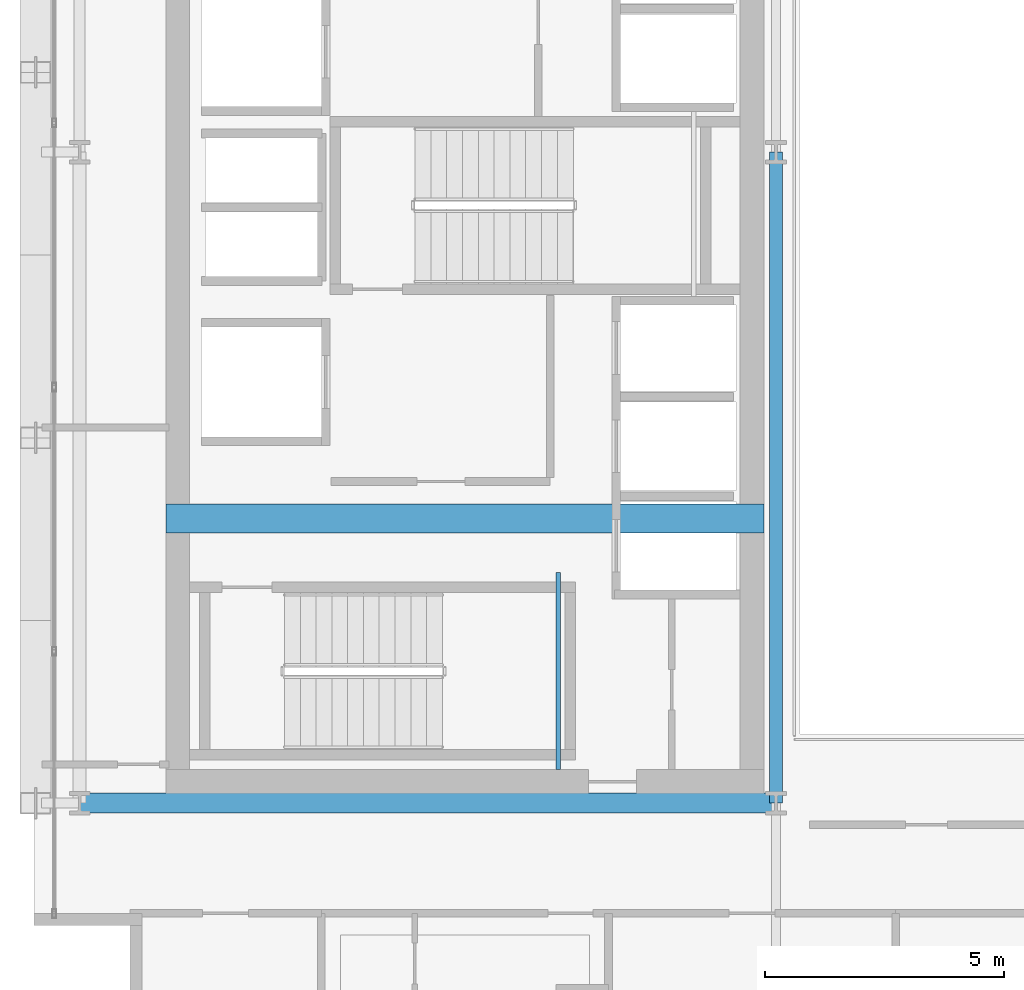
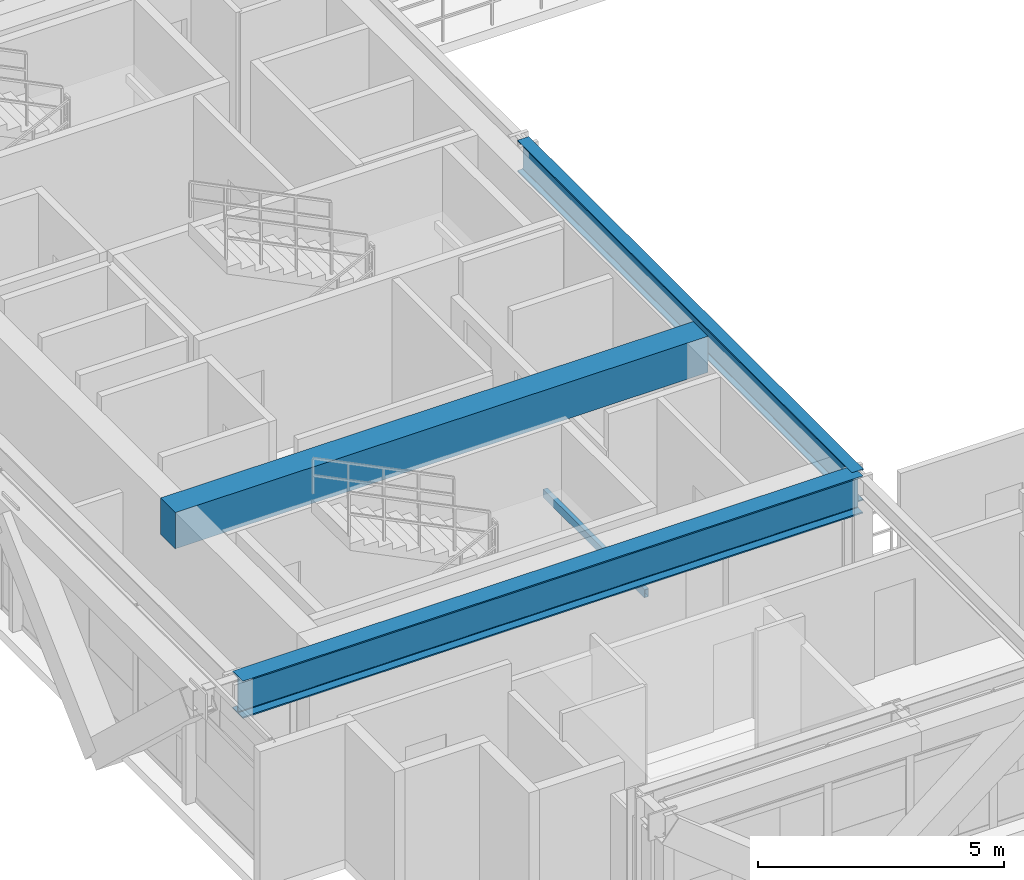
# One storey, part 5 of 32: 4 beams.
"""IFC4 building model written with IfcOpenShell, lengths in metres."""

from ifc_helpers import new_model, si_unit, direction, frame, origin, origin_2d, place, context, subcontext, project, spatial, rectangle, hollow_rectangle, i_section, extrude, source, transform, mapped, material, material_profile, profile_set, type_object, element, save


model = new_model("IFC4")

# Units and contexts
model_context = context("Model", 3, precision=1e-05, world=origin(), true_north=direction((0.0, 1.0)))
body_context = subcontext(model_context, "Body", "Model", "MODEL_VIEW")
ifc_project = project(units=[si_unit("LENGTHUNIT", "METRE"), si_unit("AREAUNIT", "SQUARE_METRE"), si_unit("VOLUMEUNIT", "CUBIC_METRE"), si_unit("PLANEANGLEUNIT", "RADIAN"), si_unit("MASSUNIT", "GRAM", prefix="KILO")], contexts=[model_context])

# Site, building, storey
site_placement = place(None, origin())
site = spatial("IfcSite", under=ifc_project, at=site_placement, CompositionType="ELEMENT")
building_placement = place(site_placement, origin())
building = spatial("IfcBuilding", under=site, at=building_placement, Name="Ocotamira Hotel", CompositionType="ELEMENT")
storey_placement = place(building_placement, frame((0.0, 0.0, 213.60009765625)))
storey = spatial("IfcBuildingStorey", under=building, at=storey_placement, Name="L54", CompositionType="ELEMENT", Elevation=213.60009765625)

# Beams
ifc_material_1 = material(Name="Concrete C50/60", Category="concrete")
ifc_material_profile_1 = material_profile(ifc_material_1, rectangle(XDim=0.60009765625, YDim=0.89990234375, at=origin_2d()), Name="RC600X900")
ifc_profile_set_1 = profile_set([ifc_material_profile_1], Name="Concrete C50/60")
beam_type_1 = type_object("IfcBeamType", Name="BM-LINK-RC600", PredefinedType="LINTEL", material=ifc_profile_set_1)
shared_shape_1 = source(origin(), body_context, "Body", "SweptSolid", [
    extrude(rectangle(XDim=0.60009765625, YDim=0.89990234375, at=origin_2d()), origin(), (0.0, 0.0, 1.0), 12.5),
])
beam_1_placement = place(storey_placement, frame((10.75, 20.5, 2.919921875), z_axis=(1.0, 0.0, 0.0), x_axis=(0.0, 1.0, 0.0)))
element("IfcBeam", 1, at=beam_1_placement, inside=storey, type_object=beam_type_1, Name="L54 West Core Coupling Beam", PredefinedType="LINTEL", context=body_context, shape_type="MappedRepresentation", body=[
    mapped(shared_shape_1, transform((0.0, 0.0, 0.0), scale=1.0)),
])
ifc_material_2 = material(Name="Steel ASTM A500 Grade C", Category="steel")
ifc_material_profile_2 = material_profile(ifc_material_2, hollow_rectangle(XDim=0.10009765625, YDim=0.199951171875, WallThickness=0.008056640625, at=origin_2d()), Name="HSS200X100X8")
ifc_profile_set_2 = profile_set([ifc_material_profile_2], Name="Steel ASTM A500 Grade C")
beam_type_2 = type_object("IfcBeamType", Name="BM-STLDG-HSS200", PredefinedType="BEAM", material=ifc_profile_set_2)
shared_shape_2 = source(origin(), body_context, "Body", "SweptSolid", [
    extrude(hollow_rectangle(XDim=0.10009765625, YDim=0.199951171875, WallThickness=0.008056640625, at=origin_2d()), origin(), (0.0, 0.0, 1.0), 4.1201171875),
])
beam_2_placement = place(storey_placement, frame((18.949951171875, 15.25, 1.5), z_axis=(0.0, 1.0, 0.0), x_axis=(-1.0, 0.0, 0.0)))
element("IfcBeam", 2, at=beam_2_placement, inside=storey, type_object=beam_type_2, Name="L54 Stair ST-1 Landing Bearer 1", PredefinedType="BEAM", context=body_context, shape_type="MappedRepresentation", body=[
    mapped(shared_shape_2, transform((0.0, 0.0, 0.0), scale=1.0)),
])
ifc_material_3 = material(Name="Steel ASTM A992 Grade 50", Category="steel")
ifc_material_profile_3 = material_profile(ifc_material_3, i_section(OverallWidth=0.41796875, OverallDepth=0.927001953125, WebThickness=0.019287109375, FlangeThickness=0.031982421875, FilletRadius=0.02392578125, at=origin_2d()), Name="W36X231")
ifc_profile_set_3 = profile_set([ifc_material_profile_3], Name="Steel ASTM A992 Grade 50")
beam_type_3 = type_object("IfcBeamType", Name="BM-GIRD-W36X231", PredefinedType="BEAM", material=ifc_profile_set_3)
shared_shape_3 = source(origin(), body_context, "Body", "SweptSolid", [
    extrude(i_section(OverallWidth=0.41796875, OverallDepth=0.927001953125, WebThickness=0.019287109375, FlangeThickness=0.031982421875, FilletRadius=0.02392578125, at=origin_2d()), origin(), (0.0, 0.0, 1.0), 14.550048828125),
])
beam_3_placement = place(storey_placement, frame((8.949951171875, 14.550048828125, 2.906494140625), z_axis=(1.0, 0.0, 0.0), x_axis=(0.0, 1.0, 0.0)))
element("IfcBeam", 3, at=beam_3_placement, inside=storey, type_object=beam_type_3, Name="L54 Girder Y14.55 X8.95-23.5", PredefinedType="BEAM", context=body_context, shape_type="MappedRepresentation", body=[
    mapped(shared_shape_3, transform((0.0, 0.0, 0.0), scale=1.0)),
])
ifc_material_profile_4 = material_profile(ifc_material_3, i_section(OverallWidth=0.26611328125, OverallDepth=0.779052734375, WebThickness=0.0166015625, FlangeThickness=0.030029296875, FilletRadius=0.01806640625, at=origin_2d()), Name="W30X148")
ifc_profile_set_4 = profile_set([ifc_material_profile_4], Name="Steel ASTM A992 Grade 50")
beam_type_4 = type_object("IfcBeamType", Name="BM-GIRD-W30X148", PredefinedType="BEAM", material=ifc_profile_set_4)
shared_shape_4 = source(origin(), body_context, "Body", "SweptSolid", [
    extrude(i_section(OverallWidth=0.26611328125, OverallDepth=0.779052734375, WebThickness=0.0166015625, FlangeThickness=0.030029296875, FilletRadius=0.01806640625, at=origin_2d()), origin(), (0.0, 0.0, 1.0), 13.599853515625),
])
beam_4_placement = place(storey_placement, frame((23.5, 14.550048828125, 2.98046875), z_axis=(0.0, 1.0, 0.0), x_axis=(-1.0, 0.0, 0.0)))
element("IfcBeam", 4, at=beam_4_placement, inside=storey, type_object=beam_type_4, Name="L54 Beam X23.5 Y14.55-28.15", PredefinedType="BEAM", context=body_context, shape_type="MappedRepresentation", body=[
    mapped(shared_shape_4, transform((0.0, 0.0, 0.0), scale=1.0)),
])

save(model, "model.ifc")
